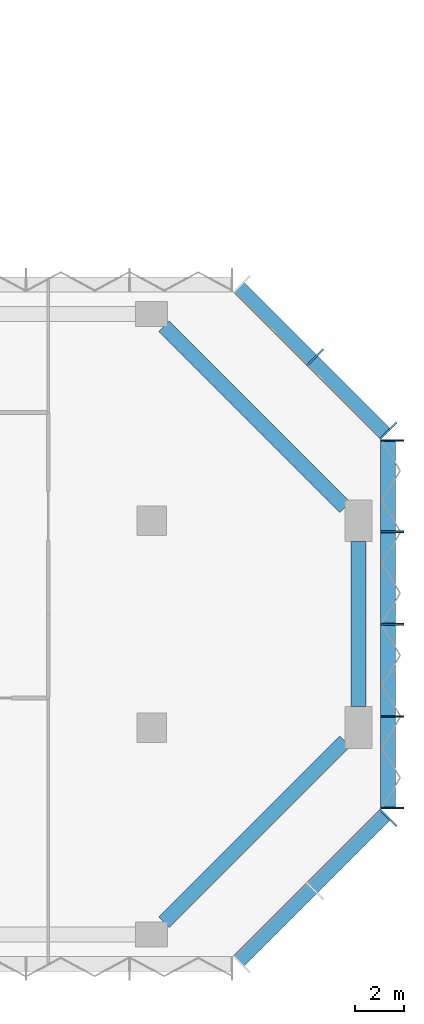
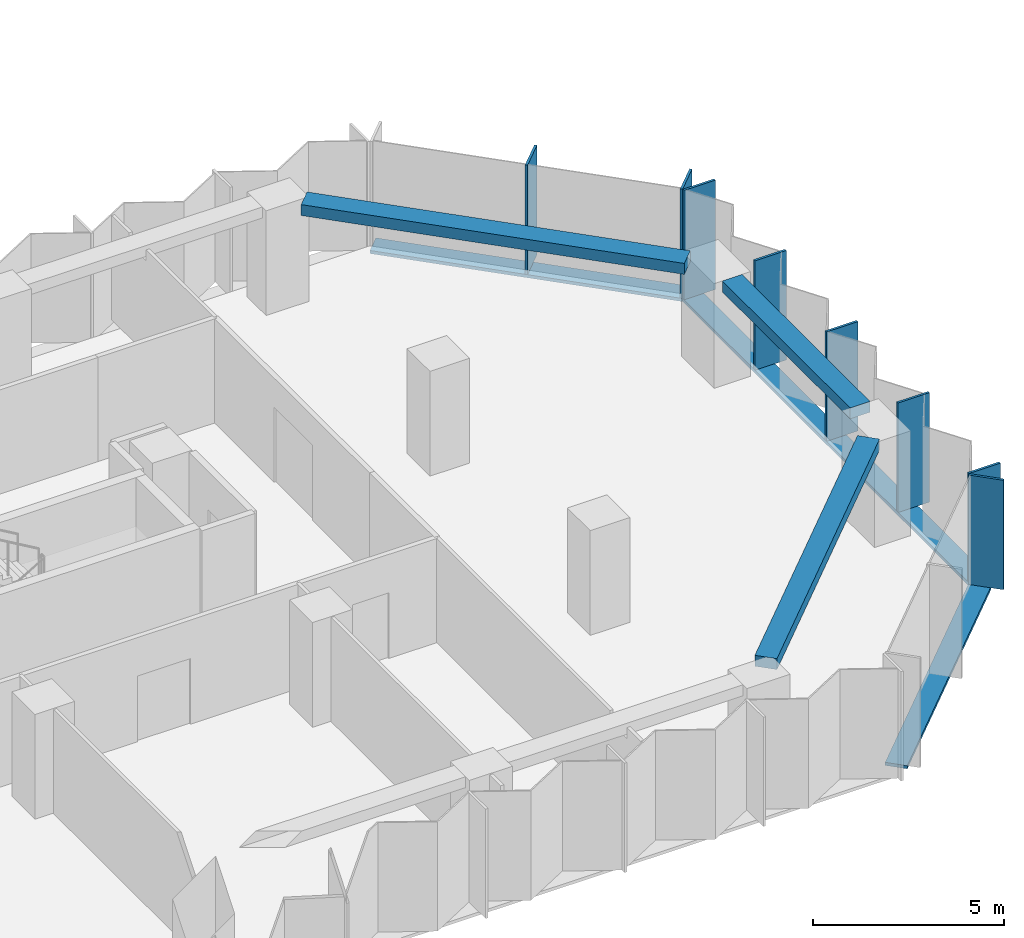
# One storey, part 4 of 13: 11 members, 3 beams, 3 elements without a shape of their own.
"""IFC4 building model written with IfcOpenShell, lengths in metres."""

from ifc_helpers import new_model, si_unit, direction, frame, origin, origin_2d, place, context, subcontext, project, spatial, rectangle, extrude, material, material_profile, profile_set, type_object, element, aggregate, save


model = new_model("IFC4")

# Units and contexts
model_context = context("Model", 3, precision=1e-05, world=origin(), true_north=direction((0.0, 1.0)))
body_context = subcontext(model_context, "Body", "Model", "MODEL_VIEW")
ifc_project = project(units=[si_unit("LENGTHUNIT", "METRE"), si_unit("AREAUNIT", "SQUARE_METRE"), si_unit("VOLUMEUNIT", "CUBIC_METRE"), si_unit("PLANEANGLEUNIT", "RADIAN"), si_unit("MASSUNIT", "GRAM", prefix="KILO")], contexts=[model_context])

# Site, building, storey
site_placement = place(None, origin())
site = spatial("IfcSite", under=ifc_project, at=site_placement, CompositionType="ELEMENT")
building_placement = place(site_placement, origin())
building = spatial("IfcBuilding", under=site, at=building_placement, Name="Brevane Broadcast Tower", CompositionType="ELEMENT")
storey_placement = place(building_placement, frame((0.0, 0.0, 120.5)))
storey = spatial("IfcBuildingStorey", under=building, at=storey_placement, Name="L29", CompositionType="ELEMENT", Elevation=120.5)

# Curtain wall, member
ifc_material_1 = material(Name="Aluminium 6063-T6 bronze anodised", Category="aluminium")
curtain_wall_type = type_object("IfcCurtainWallType", Name="CW-1 curtain wall", PredefinedType="NOTDEFINED", material=ifc_material_1)
curtain_wall_1_placement = place(storey_placement, origin())
curtain_wall_1 = element("IfcCurtainWall", 1, at=curtain_wall_1_placement, inside=storey, type_object=curtain_wall_type, Name="CW-1 typical tilted unit L29 south-east chamfer", PredefinedType="NOTDEFINED")
ifc_material_profile_1 = material_profile(ifc_material_1, rectangle(XDim=0.949951171875, YDim=0.070068359375, at=origin_2d()), Name="RECT 70x950")
ifc_profile_set_1 = profile_set([ifc_material_profile_1], Name="Aluminium 6063-T6 bronze anodised")
member_type_1 = type_object("IfcMemberType", Name="CW-1 mullion 70x950", PredefinedType="MULLION", material=ifc_profile_set_1)
member_1_placement = place(storey_placement, frame((68.4111328125, 4.7392578125, -0.14990234375), z_axis=(0.0, 0.0, 1.0), x_axis=(-0.707106781187, 0.707106781187, 0.0)))
member_1 = element("IfcMember", 2, at=member_1_placement, type_object=member_type_1, Name="CW-1 mullion", PredefinedType="MULLION", context=body_context, shape_type="SweptSolid", body=[
    extrude(rectangle(XDim=0.949951171875, YDim=0.070068359375, at=origin_2d()), origin(), (0.0, 0.0, 1.0), 3.5),
])

# Curtain wall, members
curtain_wall_2_placement = place(storey_placement, origin())
curtain_wall_2 = element("IfcCurtainWall", 3, at=curtain_wall_2_placement, inside=storey, type_object=curtain_wall_type, Name="CW-1 typical tilted unit L29 east end", PredefinedType="NOTDEFINED")
member_2_placement = place(storey_placement, frame((68.574951171875, 5.135009765625, -0.14990234375), z_axis=(0.0, 0.0, 1.0), x_axis=(-1.0, 0.0, 0.0)))
member_2 = element("IfcMember", 4, at=member_2_placement, type_object=member_type_1, Name="CW-1 mullion", PredefinedType="MULLION", context=body_context, shape_type="SweptSolid", body=[
    extrude(rectangle(XDim=0.949951171875, YDim=0.070068359375, at=origin_2d()), origin(), (0.0, 0.0, 1.0), 3.5),
])
member_3_placement = place(storey_placement, frame((68.574951171875, 8.85009765625, -0.14990234375), z_axis=(0.0, 0.0, 1.0), x_axis=(-1.0, 0.0, 0.0)))
member_3 = element("IfcMember", 5, at=member_3_placement, type_object=member_type_1, Name="CW-1 mullion", PredefinedType="MULLION", context=body_context, shape_type="SweptSolid", body=[
    extrude(rectangle(XDim=0.949951171875, YDim=0.070068359375, at=origin_2d()), origin(), (0.0, 0.0, 1.0), 3.5),
])
member_4_placement = place(storey_placement, frame((68.574951171875, 12.60009765625, -0.14990234375), z_axis=(0.0, 0.0, 1.0), x_axis=(-1.0, 0.0, 0.0)))
member_4 = element("IfcMember", 6, at=member_4_placement, type_object=member_type_1, Name="CW-1 mullion", PredefinedType="MULLION", context=body_context, shape_type="SweptSolid", body=[
    extrude(rectangle(XDim=0.949951171875, YDim=0.070068359375, at=origin_2d()), origin(), (0.0, 0.0, 1.0), 3.5),
])
member_5_placement = place(storey_placement, frame((68.574951171875, 16.35009765625, -0.14990234375), z_axis=(0.0, 0.0, 1.0), x_axis=(-1.0, 0.0, 0.0)))
member_5 = element("IfcMember", 7, at=member_5_placement, type_object=member_type_1, Name="CW-1 mullion", PredefinedType="MULLION", context=body_context, shape_type="SweptSolid", body=[
    extrude(rectangle(XDim=0.949951171875, YDim=0.070068359375, at=origin_2d()), origin(), (0.0, 0.0, 1.0), 3.5),
])
member_6_placement = place(storey_placement, frame((68.574951171875, 20.06494140625, -0.14990234375), z_axis=(0.0, 0.0, 1.0), x_axis=(-1.0, 0.0, 0.0)))
member_6 = element("IfcMember", 8, at=member_6_placement, type_object=member_type_1, Name="CW-1 mullion", PredefinedType="MULLION", context=body_context, shape_type="SweptSolid", body=[
    extrude(rectangle(XDim=0.949951171875, YDim=0.070068359375, at=origin_2d()), origin(), (0.0, 0.0, 1.0), 3.5),
])

curtain_wall_3_placement = place(storey_placement, origin())
curtain_wall_3 = element("IfcCurtainWall", 9, at=curtain_wall_3_placement, inside=storey, type_object=curtain_wall_type, Name="CW-1 typical tilted unit L29 north-east chamfer", PredefinedType="NOTDEFINED")
member_7_placement = place(storey_placement, frame((68.4111328125, 20.460693359375, -0.14990234375), z_axis=(0.0, 0.0, 1.0), x_axis=(-0.707106781187, -0.707106781187, 0.0)))
member_7 = element("IfcMember", 10, at=member_7_placement, type_object=member_type_1, Name="CW-1 mullion", PredefinedType="MULLION", context=body_context, shape_type="SweptSolid", body=[
    extrude(rectangle(XDim=0.949951171875, YDim=0.070068359375, at=origin_2d()), origin(), (0.0, 0.0, 1.0), 3.5),
])
member_8_placement = place(storey_placement, frame((65.435791015625, 23.435791015625, -0.14990234375), z_axis=(0.0, 0.0, 1.0), x_axis=(-0.707106781187, -0.707106781187, 0.0)))
member_8 = element("IfcMember", 11, at=member_8_placement, type_object=member_type_1, Name="CW-1 mullion", PredefinedType="MULLION", context=body_context, shape_type="SweptSolid", body=[
    extrude(rectangle(XDim=0.949951171875, YDim=0.070068359375, at=origin_2d()), origin(), (0.0, 0.0, 1.0), 3.5),
])

# Member
ifc_material_profile_2 = material_profile(ifc_material_1, rectangle(XDim=0.60009765625, YDim=0.10009765625, at=origin_2d()), Name="RECT 100x600")
ifc_profile_set_2 = profile_set([ifc_material_profile_2], Name="Aluminium 6063-T6 bronze anodised")
member_type_2 = type_object("IfcMemberType", Name="CW-1 transom 100x600", PredefinedType="USERDEFINED", material=ifc_profile_set_2)
member_9_placement = place(storey_placement, frame((62.31201171875, -1.112060546875, -0.199951171875), z_axis=(0.707106781187, 0.707106781187, 0.0), x_axis=(-0.707106781187, 0.707106781187, 0.0)))
member_9 = element("IfcMember", 12, at=member_9_placement, type_object=member_type_2, Name="CW-1 transom", ObjectType="TRANSOM", PredefinedType="USERDEFINED", context=body_context, shape_type="SweptSolid", body=[
    extrude(rectangle(XDim=0.60009765625, YDim=0.10009765625, at=origin_2d()), origin(), (0.0, 0.0, 1.0), 8.4853515625),
])

aggregate(curtain_wall_1, [member_1, member_9])

member_10_placement = place(storey_placement, frame((68.39990234375, 5.10009765625, -0.199951171875), z_axis=(0.0, 1.0, 0.0), x_axis=(-1.0, 0.0, 0.0)))
member_10 = element("IfcMember", 13, at=member_10_placement, type_object=member_type_2, Name="CW-1 transom", ObjectType="TRANSOM", PredefinedType="USERDEFINED", context=body_context, shape_type="SweptSolid", body=[
    extrude(rectangle(XDim=0.60009765625, YDim=0.10009765625, at=origin_2d()), origin(), (0.0, 0.0, 1.0), 15.0),
])

aggregate(curtain_wall_2, [member_2, member_3, member_4, member_5, member_6, member_10])

member_11_placement = place(storey_placement, frame((68.31201171875, 20.31201171875, -0.199951171875), z_axis=(-0.707106781187, 0.707106781187, 0.0), x_axis=(-0.707106781187, -0.707106781187, 0.0)))
member_11 = element("IfcMember", 14, at=member_11_placement, type_object=member_type_2, Name="CW-1 transom", ObjectType="TRANSOM", PredefinedType="USERDEFINED", context=body_context, shape_type="SweptSolid", body=[
    extrude(rectangle(XDim=0.60009765625, YDim=0.10009765625, at=origin_2d()), origin(), (0.0, 0.0, 1.0), 8.4853515625),
])

aggregate(curtain_wall_3, [member_7, member_8, member_11])

# Beams
ifc_material_2 = material(Name="Concrete C40/50", Category="concrete")
ifc_material_profile_3 = material_profile(ifc_material_2, rectangle(XDim=0.60009765625, YDim=0.35009765625, at=origin_2d()), Name="RC 600x350")
ifc_profile_set_3 = profile_set([ifc_material_profile_3], Name="Concrete C40/50")
beam_type = type_object("IfcBeamType", Name="RC SPANDREL BEAM 600x350 C40/50", PredefinedType="SPANDREL", material=ifc_profile_set_3)
beam_1_placement = place(storey_placement, frame((59.300048828125, 0.5, 3.175048828125), z_axis=(0.707095037275, 0.707118524903, 0.0), x_axis=(-0.707118524903, 0.707095037275, 0.0)))
element("IfcBeam", 15, at=beam_1_placement, inside=storey, type_object=beam_type, Name="EB1 L29-5", PredefinedType="SPANDREL", context=body_context, shape_type="SweptSolid", body=[
    extrude(rectangle(XDim=0.60009765625, YDim=0.35009765625, at=origin_2d()), origin(), (0.0, 0.0, 1.0), 10.39453125),
])
beam_2_placement = place(storey_placement, frame((67.199951171875, 9.25, 3.175048828125), z_axis=(0.0, 1.0, 0.0), x_axis=(-1.0, 0.0, 0.0)))
element("IfcBeam", 16, at=beam_2_placement, inside=storey, type_object=beam_type, Name="EB1 L29-6", PredefinedType="SPANDREL", context=body_context, shape_type="SweptSolid", body=[
    extrude(rectangle(XDim=0.60009765625, YDim=0.35009765625, at=origin_2d()), origin(), (0.0, 0.0, 1.0), 6.699951171875),
])
beam_3_placement = place(storey_placement, frame((66.64990234375, 17.35009765625, 3.175048828125), z_axis=(-0.707106781187, 0.707106781187, 0.0), x_axis=(-0.707106781187, -0.707106781187, 0.0)))
element("IfcBeam", 17, at=beam_3_placement, inside=storey, type_object=beam_type, Name="EB1 L29-7", PredefinedType="SPANDREL", context=body_context, shape_type="SweptSolid", body=[
    extrude(rectangle(XDim=0.60009765625, YDim=0.35009765625, at=origin_2d()), origin(), (0.0, 0.0, 1.0), 10.394287109375),
])

save(model, "model.ifc")
